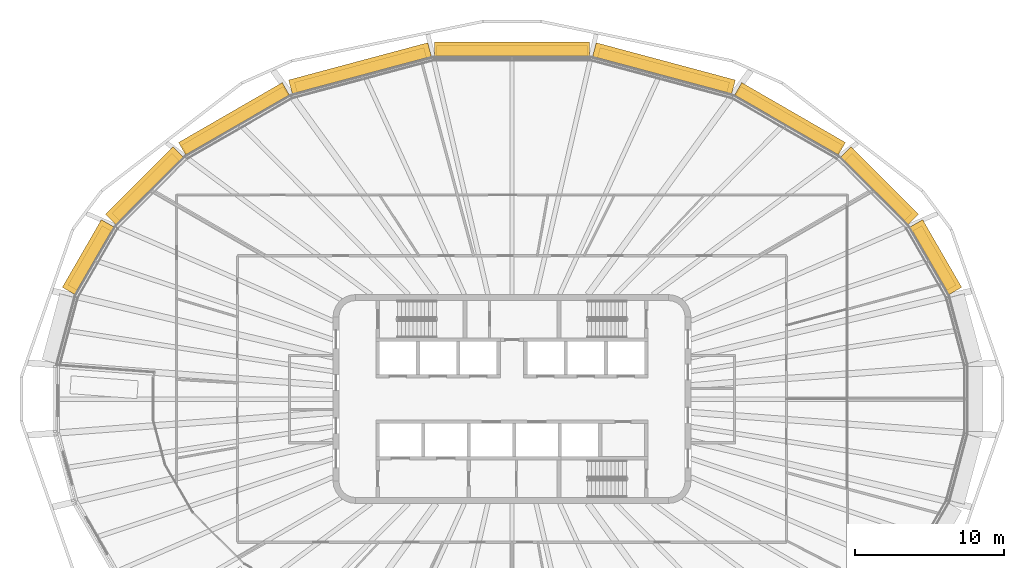
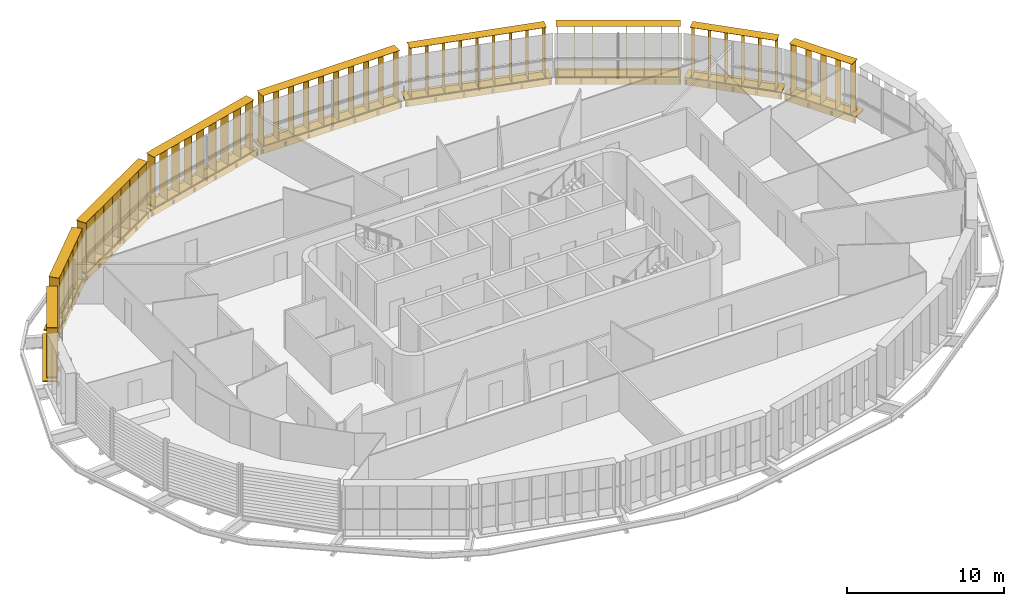
# One storey, part 20 of 20: 18 shading devices.
"""IFC4 building model written with IfcOpenShell, lengths in metres."""

from ifc_helpers import new_model, si_unit, direction, frame, origin, origin_2d, place, context, subcontext, project, spatial, rectangle, extrude, material, type_object, element, save


model = new_model("IFC4")

# Units and contexts
model_context = context("Model", 3, precision=1e-05, world=origin(), true_north=direction((0.0, 1.0)))
body_context = subcontext(model_context, "Body", "Model", "MODEL_VIEW")
ifc_project = project(units=[si_unit("LENGTHUNIT", "METRE"), si_unit("AREAUNIT", "SQUARE_METRE"), si_unit("VOLUMEUNIT", "CUBIC_METRE"), si_unit("PLANEANGLEUNIT", "RADIAN"), si_unit("MASSUNIT", "GRAM", prefix="KILO")], contexts=[model_context])

# Site, building, storey
site_placement = place(None, origin())
site = spatial("IfcSite", under=ifc_project, at=site_placement, CompositionType="ELEMENT")
building_placement = place(site_placement, origin())
building = spatial("IfcBuilding", under=site, at=building_placement, Name="Sahrelin Media Tower", CompositionType="ELEMENT")
storey_placement = place(building_placement, frame((0.0, 0.0, 221.60009765625)))
storey = spatial("IfcBuildingStorey", under=building, at=storey_placement, Name="L47", CompositionType="ELEMENT", Elevation=221.60009765625)

# Shading devices
ifc_material = material(Name="Champagne anodised aluminium 6063-T6", Category="aluminium")
shading_device_type_1 = type_object("IfcShadingDeviceType", Name="Fin cassette", PredefinedType="USERDEFINED", material=ifc_material)
placement_1 = place(storey_placement, frame((27.954833984375, 9.2451171875, 0.0), z_axis=(0.0, 0.0, 1.0), x_axis=(0.500011000363, -0.866019052629, 0.0)))
element("IfcShadingDevice", 1, at=placement_1, inside=storey, type_object=shading_device_type_1, Name="L47:FIN:L47-02", ObjectType="FIN", PredefinedType="USERDEFINED", context=body_context, shape_type="SweptSolid", body=[
    extrude(rectangle(XDim=4.60009765625, YDim=0.699951171875, at=origin_2d()), frame((0.0, 0.419921875, 0.0)), (0.0, 0.0, 1.0), 0.02001953125),
    extrude(rectangle(XDim=4.60009765625, YDim=0.699951171875, at=origin_2d()), frame((0.0, 0.419921875, 3.89990234375)), (0.0, 0.0, 1.0), 0.02001953125),
    extrude(rectangle(XDim=0.02001953125, YDim=0.699951171875, at=origin_2d()), frame((-2.199951171875, 0.419921875, 0.010009765625), z_axis=(0.0, 0.0, 1.0), x_axis=(1.0, 0.0, 0.0)), (0.0, 0.0, 1.0), 3.89990234375),
    extrude(rectangle(XDim=0.02001953125, YDim=0.699951171875, at=origin_2d()), frame((-1.10009765625, 0.419921875, 0.010009765625), z_axis=(0.0, 0.0, 1.0), x_axis=(1.0, 0.0, 0.0)), (0.0, 0.0, 1.0), 3.89990234375),
    extrude(rectangle(XDim=0.02001953125, YDim=0.699951171875, at=origin_2d()), frame((0.0, 0.419921875, 0.010009765625), z_axis=(0.0, 0.0, 1.0), x_axis=(1.0, 0.0, 0.0)), (0.0, 0.0, 1.0), 3.89990234375),
    extrude(rectangle(XDim=0.02001953125, YDim=0.699951171875, at=origin_2d()), frame((1.10009765625, 0.419921875, 0.010009765625), z_axis=(0.0, 0.0, 1.0), x_axis=(1.0, 0.0, 0.0)), (0.0, 0.0, 1.0), 3.89990234375),
    extrude(rectangle(XDim=0.02001953125, YDim=0.699951171875, at=origin_2d()), frame((2.199951171875, 0.419921875, 0.010009765625), z_axis=(0.0, 0.0, 1.0), x_axis=(1.0, 0.0, 0.0)), (0.0, 0.0, 1.0), 3.89990234375),
])
placement_2 = place(storey_placement, frame((24.263916015625, 13.929931640625, 0.0), z_axis=(0.0, 0.0, 1.0), x_axis=(0.707106781187, -0.707106781187, 0.0)))
element("IfcShadingDevice", 2, at=placement_2, inside=storey, type_object=shading_device_type_1, Name="L47:FIN:L47-03", ObjectType="FIN", PredefinedType="USERDEFINED", context=body_context, shape_type="SweptSolid", body=[
    extrude(rectangle(XDim=5.699951171875, YDim=0.699951171875, at=origin_2d()), frame((0.0, 0.419921875, 0.0)), (0.0, 0.0, 1.0), 0.02001953125),
    extrude(rectangle(XDim=5.699951171875, YDim=0.699951171875, at=origin_2d()), frame((0.0, 0.419921875, 3.89990234375)), (0.0, 0.0, 1.0), 0.02001953125),
    extrude(rectangle(XDim=0.02001953125, YDim=0.699951171875, at=origin_2d()), frame((-2.75, 0.419921875, 0.010009765625), z_axis=(0.0, 0.0, 1.0), x_axis=(1.0, 0.0, 0.0)), (0.0, 0.0, 1.0), 3.89990234375),
    extrude(rectangle(XDim=0.02001953125, YDim=0.699951171875, at=origin_2d()), frame((-1.64990234375, 0.419921875, 0.010009765625), z_axis=(0.0, 0.0, 1.0), x_axis=(1.0, 0.0, 0.0)), (0.0, 0.0, 1.0), 3.89990234375),
    extrude(rectangle(XDim=0.02001953125, YDim=0.699951171875, at=origin_2d()), frame((-0.550048828125, 0.419921875, 0.010009765625), z_axis=(0.0, 0.0, 1.0), x_axis=(1.0, 0.0, 0.0)), (0.0, 0.0, 1.0), 3.89990234375),
    extrude(rectangle(XDim=0.02001953125, YDim=0.699951171875, at=origin_2d()), frame((0.550048828125, 0.419921875, 0.010009765625), z_axis=(0.0, 0.0, 1.0), x_axis=(1.0, 0.0, 0.0)), (0.0, 0.0, 1.0), 3.89990234375),
    extrude(rectangle(XDim=0.02001953125, YDim=0.699951171875, at=origin_2d()), frame((1.64990234375, 0.419921875, 0.010009765625), z_axis=(0.0, 0.0, 1.0), x_axis=(1.0, 0.0, 0.0)), (0.0, 0.0, 1.0), 3.89990234375),
    extrude(rectangle(XDim=0.02001953125, YDim=0.699951171875, at=origin_2d()), frame((2.75, 0.419921875, 0.010009765625), z_axis=(0.0, 0.0, 1.0), x_axis=(1.0, 0.0, 0.0)), (0.0, 0.0, 1.0), 3.89990234375),
])
placement_3 = place(storey_placement, frame((18.36962890625, 18.319091796875, 0.0), z_axis=(0.0, 0.0, 1.0), x_axis=(0.866019052629, -0.500011000363, 0.0)))
element("IfcShadingDevice", 3, at=placement_3, inside=storey, type_object=shading_device_type_1, Name="L47:FIN:L47-04", ObjectType="FIN", PredefinedType="USERDEFINED", context=body_context, shape_type="SweptSolid", body=[
    extrude(rectangle(XDim=7.89990234375, YDim=0.699951171875, at=origin_2d()), frame((0.0, 0.419921875, 0.0)), (0.0, 0.0, 1.0), 0.02001953125),
    extrude(rectangle(XDim=7.89990234375, YDim=0.699951171875, at=origin_2d()), frame((0.0, 0.419921875, 3.89990234375)), (0.0, 0.0, 1.0), 0.02001953125),
    extrude(rectangle(XDim=0.02001953125, YDim=0.699951171875, at=origin_2d()), frame((-3.85009765625, 0.419921875, 0.010009765625), z_axis=(0.0, 0.0, 1.0), x_axis=(1.0, 0.0, 0.0)), (0.0, 0.0, 1.0), 3.89990234375),
    extrude(rectangle(XDim=0.02001953125, YDim=0.699951171875, at=origin_2d()), frame((-2.75, 0.419921875, 0.010009765625), z_axis=(0.0, 0.0, 1.0), x_axis=(1.0, 0.0, 0.0)), (0.0, 0.0, 1.0), 3.89990234375),
    extrude(rectangle(XDim=0.02001953125, YDim=0.699951171875, at=origin_2d()), frame((-1.64990234375, 0.419921875, 0.010009765625), z_axis=(0.0, 0.0, 1.0), x_axis=(1.0, 0.0, 0.0)), (0.0, 0.0, 1.0), 3.89990234375),
    extrude(rectangle(XDim=0.02001953125, YDim=0.699951171875, at=origin_2d()), frame((-0.550048828125, 0.419921875, 0.010009765625), z_axis=(0.0, 0.0, 1.0), x_axis=(1.0, 0.0, 0.0)), (0.0, 0.0, 1.0), 3.89990234375),
    extrude(rectangle(XDim=0.02001953125, YDim=0.699951171875, at=origin_2d()), frame((0.550048828125, 0.419921875, 0.010009765625), z_axis=(0.0, 0.0, 1.0), x_axis=(1.0, 0.0, 0.0)), (0.0, 0.0, 1.0), 3.89990234375),
    extrude(rectangle(XDim=0.02001953125, YDim=0.699951171875, at=origin_2d()), frame((1.64990234375, 0.419921875, 0.010009765625), z_axis=(0.0, 0.0, 1.0), x_axis=(1.0, 0.0, 0.0)), (0.0, 0.0, 1.0), 3.89990234375),
    extrude(rectangle(XDim=0.02001953125, YDim=0.699951171875, at=origin_2d()), frame((2.75, 0.419921875, 0.010009765625), z_axis=(0.0, 0.0, 1.0), x_axis=(1.0, 0.0, 0.0)), (0.0, 0.0, 1.0), 3.89990234375),
    extrude(rectangle(XDim=0.02001953125, YDim=0.699951171875, at=origin_2d()), frame((3.85009765625, 0.419921875, 0.010009765625), z_axis=(0.0, 0.0, 1.0), x_axis=(1.0, 0.0, 0.0)), (0.0, 0.0, 1.0), 3.89990234375),
])
placement_4 = place(storey_placement, frame((10.04931640625, 21.650390625, 0.0), z_axis=(0.0, 0.0, 1.0), x_axis=(0.965928857556, -0.258807731996, 0.0)))
element("IfcShadingDevice", 4, at=placement_4, inside=storey, type_object=shading_device_type_1, Name="L47:FIN:L47-05", ObjectType="FIN", PredefinedType="USERDEFINED", context=body_context, shape_type="SweptSolid", body=[
    extrude(rectangle(XDim=9.0, YDim=0.699951171875, at=origin_2d()), frame((0.0, 0.419921875, 0.0)), (0.0, 0.0, 1.0), 0.02001953125),
    extrude(rectangle(XDim=9.0, YDim=0.699951171875, at=origin_2d()), frame((0.0, 0.419921875, 3.89990234375)), (0.0, 0.0, 1.0), 0.02001953125),
    extrude(rectangle(XDim=0.02001953125, YDim=0.699951171875, at=origin_2d()), frame((-4.39990234375, 0.419921875, 0.010009765625), z_axis=(0.0, 0.0, 1.0), x_axis=(1.0, 0.0, 0.0)), (0.0, 0.0, 1.0), 3.89990234375),
    extrude(rectangle(XDim=0.02001953125, YDim=0.699951171875, at=origin_2d()), frame((-3.300048828125, 0.419921875, 0.010009765625), z_axis=(0.0, 0.0, 1.0), x_axis=(1.0, 0.0, 0.0)), (0.0, 0.0, 1.0), 3.89990234375),
    extrude(rectangle(XDim=0.02001953125, YDim=0.699951171875, at=origin_2d()), frame((-2.199951171875, 0.419921875, 0.010009765625), z_axis=(0.0, 0.0, 1.0), x_axis=(1.0, 0.0, 0.0)), (0.0, 0.0, 1.0), 3.89990234375),
    extrude(rectangle(XDim=0.02001953125, YDim=0.699951171875, at=origin_2d()), frame((-1.10009765625, 0.419921875, 0.010009765625), z_axis=(0.0, 0.0, 1.0), x_axis=(1.0, 0.0, 0.0)), (0.0, 0.0, 1.0), 3.89990234375),
    extrude(rectangle(XDim=0.02001953125, YDim=0.699951171875, at=origin_2d()), frame((0.0, 0.419921875, 0.010009765625), z_axis=(0.0, 0.0, 1.0), x_axis=(1.0, 0.0, 0.0)), (0.0, 0.0, 1.0), 3.89990234375),
    extrude(rectangle(XDim=0.02001953125, YDim=0.699951171875, at=origin_2d()), frame((1.10009765625, 0.419921875, 0.010009765625), z_axis=(0.0, 0.0, 1.0), x_axis=(1.0, 0.0, 0.0)), (0.0, 0.0, 1.0), 3.89990234375),
    extrude(rectangle(XDim=0.02001953125, YDim=0.699951171875, at=origin_2d()), frame((2.199951171875, 0.419921875, 0.010009765625), z_axis=(0.0, 0.0, 1.0), x_axis=(1.0, 0.0, 0.0)), (0.0, 0.0, 1.0), 3.89990234375),
    extrude(rectangle(XDim=0.02001953125, YDim=0.699951171875, at=origin_2d()), frame((3.300048828125, 0.419921875, 0.010009765625), z_axis=(0.0, 0.0, 1.0), x_axis=(1.0, 0.0, 0.0)), (0.0, 0.0, 1.0), 3.89990234375),
    extrude(rectangle(XDim=0.02001953125, YDim=0.699951171875, at=origin_2d()), frame((4.39990234375, 0.419921875, 0.010009765625), z_axis=(0.0, 0.0, 1.0), x_axis=(1.0, 0.0, 0.0)), (0.0, 0.0, 1.0), 3.89990234375),
])
placement_5 = place(storey_placement, frame((0.0, 22.925537109375, 0.0), z_axis=(0.0, 0.0, 1.0), x_axis=(1.0, 0.0, 0.0)))
element("IfcShadingDevice", 5, at=placement_5, inside=storey, type_object=shading_device_type_1, Name="L47:FIN:L47-06", ObjectType="FIN", PredefinedType="USERDEFINED", context=body_context, shape_type="SweptSolid", body=[
    extrude(rectangle(XDim=10.10009765625, YDim=0.699951171875, at=origin_2d()), frame((0.0, 0.419921875, 0.0)), (0.0, 0.0, 1.0), 0.02001953125),
    extrude(rectangle(XDim=10.10009765625, YDim=0.699951171875, at=origin_2d()), frame((0.0, 0.419921875, 3.89990234375)), (0.0, 0.0, 1.0), 0.02001953125),
    extrude(rectangle(XDim=0.02001953125, YDim=0.699951171875, at=origin_2d()), frame((-4.949951171875, 0.419921875, 0.010009765625), z_axis=(0.0, 0.0, 1.0), x_axis=(1.0, 0.0, 0.0)), (0.0, 0.0, 1.0), 3.89990234375),
    extrude(rectangle(XDim=0.02001953125, YDim=0.699951171875, at=origin_2d()), frame((-3.85009765625, 0.419921875, 0.010009765625), z_axis=(0.0, 0.0, 1.0), x_axis=(1.0, 0.0, 0.0)), (0.0, 0.0, 1.0), 3.89990234375),
    extrude(rectangle(XDim=0.02001953125, YDim=0.699951171875, at=origin_2d()), frame((-2.75, 0.419921875, 0.010009765625), z_axis=(0.0, 0.0, 1.0), x_axis=(1.0, 0.0, 0.0)), (0.0, 0.0, 1.0), 3.89990234375),
    extrude(rectangle(XDim=0.02001953125, YDim=0.699951171875, at=origin_2d()), frame((-1.64990234375, 0.419921875, 0.010009765625), z_axis=(0.0, 0.0, 1.0), x_axis=(1.0, 0.0, 0.0)), (0.0, 0.0, 1.0), 3.89990234375),
    extrude(rectangle(XDim=0.02001953125, YDim=0.699951171875, at=origin_2d()), frame((-0.550048828125, 0.419921875, 0.010009765625), z_axis=(0.0, 0.0, 1.0), x_axis=(1.0, 0.0, 0.0)), (0.0, 0.0, 1.0), 3.89990234375),
    extrude(rectangle(XDim=0.02001953125, YDim=0.699951171875, at=origin_2d()), frame((0.550048828125, 0.419921875, 0.010009765625), z_axis=(0.0, 0.0, 1.0), x_axis=(1.0, 0.0, 0.0)), (0.0, 0.0, 1.0), 3.89990234375),
    extrude(rectangle(XDim=0.02001953125, YDim=0.699951171875, at=origin_2d()), frame((1.64990234375, 0.419921875, 0.010009765625), z_axis=(0.0, 0.0, 1.0), x_axis=(1.0, 0.0, 0.0)), (0.0, 0.0, 1.0), 3.89990234375),
    extrude(rectangle(XDim=0.02001953125, YDim=0.699951171875, at=origin_2d()), frame((2.75, 0.419921875, 0.010009765625), z_axis=(0.0, 0.0, 1.0), x_axis=(1.0, 0.0, 0.0)), (0.0, 0.0, 1.0), 3.89990234375),
    extrude(rectangle(XDim=0.02001953125, YDim=0.699951171875, at=origin_2d()), frame((3.85009765625, 0.419921875, 0.010009765625), z_axis=(0.0, 0.0, 1.0), x_axis=(1.0, 0.0, 0.0)), (0.0, 0.0, 1.0), 3.89990234375),
    extrude(rectangle(XDim=0.02001953125, YDim=0.699951171875, at=origin_2d()), frame((4.949951171875, 0.419921875, 0.010009765625), z_axis=(0.0, 0.0, 1.0), x_axis=(1.0, 0.0, 0.0)), (0.0, 0.0, 1.0), 3.89990234375),
])
placement_6 = place(storey_placement, frame((-10.04931640625, 21.650390625, 0.0), z_axis=(0.0, 0.0, 1.0), x_axis=(0.965928857556, 0.258807731996, 0.0)))
element("IfcShadingDevice", 6, at=placement_6, inside=storey, type_object=shading_device_type_1, Name="L47:FIN:L47-07", ObjectType="FIN", PredefinedType="USERDEFINED", context=body_context, shape_type="SweptSolid", body=[
    extrude(rectangle(XDim=9.0, YDim=0.699951171875, at=origin_2d()), frame((0.0, 0.419921875, 0.0)), (0.0, 0.0, 1.0), 0.02001953125),
    extrude(rectangle(XDim=9.0, YDim=0.699951171875, at=origin_2d()), frame((0.0, 0.419921875, 3.89990234375)), (0.0, 0.0, 1.0), 0.02001953125),
    extrude(rectangle(XDim=0.02001953125, YDim=0.699951171875, at=origin_2d()), frame((-4.39990234375, 0.419921875, 0.010009765625), z_axis=(0.0, 0.0, 1.0), x_axis=(1.0, 0.0, 0.0)), (0.0, 0.0, 1.0), 3.89990234375),
    extrude(rectangle(XDim=0.02001953125, YDim=0.699951171875, at=origin_2d()), frame((-3.300048828125, 0.419921875, 0.010009765625), z_axis=(0.0, 0.0, 1.0), x_axis=(1.0, 0.0, 0.0)), (0.0, 0.0, 1.0), 3.89990234375),
    extrude(rectangle(XDim=0.02001953125, YDim=0.699951171875, at=origin_2d()), frame((-2.199951171875, 0.419921875, 0.010009765625), z_axis=(0.0, 0.0, 1.0), x_axis=(1.0, 0.0, 0.0)), (0.0, 0.0, 1.0), 3.89990234375),
    extrude(rectangle(XDim=0.02001953125, YDim=0.699951171875, at=origin_2d()), frame((-1.10009765625, 0.419921875, 0.010009765625), z_axis=(0.0, 0.0, 1.0), x_axis=(1.0, 0.0, 0.0)), (0.0, 0.0, 1.0), 3.89990234375),
    extrude(rectangle(XDim=0.02001953125, YDim=0.699951171875, at=origin_2d()), frame((0.0, 0.419921875, 0.010009765625), z_axis=(0.0, 0.0, 1.0), x_axis=(1.0, 0.0, 0.0)), (0.0, 0.0, 1.0), 3.89990234375),
    extrude(rectangle(XDim=0.02001953125, YDim=0.699951171875, at=origin_2d()), frame((1.10009765625, 0.419921875, 0.010009765625), z_axis=(0.0, 0.0, 1.0), x_axis=(1.0, 0.0, 0.0)), (0.0, 0.0, 1.0), 3.89990234375),
    extrude(rectangle(XDim=0.02001953125, YDim=0.699951171875, at=origin_2d()), frame((2.199951171875, 0.419921875, 0.010009765625), z_axis=(0.0, 0.0, 1.0), x_axis=(1.0, 0.0, 0.0)), (0.0, 0.0, 1.0), 3.89990234375),
    extrude(rectangle(XDim=0.02001953125, YDim=0.699951171875, at=origin_2d()), frame((3.300048828125, 0.419921875, 0.010009765625), z_axis=(0.0, 0.0, 1.0), x_axis=(1.0, 0.0, 0.0)), (0.0, 0.0, 1.0), 3.89990234375),
    extrude(rectangle(XDim=0.02001953125, YDim=0.699951171875, at=origin_2d()), frame((4.39990234375, 0.419921875, 0.010009765625), z_axis=(0.0, 0.0, 1.0), x_axis=(1.0, 0.0, 0.0)), (0.0, 0.0, 1.0), 3.89990234375),
])
placement_7 = place(storey_placement, frame((-18.369873046875, 18.319091796875, 0.0), z_axis=(0.0, 0.0, 1.0), x_axis=(0.866019052629, 0.500011000363, 0.0)))
element("IfcShadingDevice", 7, at=placement_7, inside=storey, type_object=shading_device_type_1, Name="L47:FIN:L47-08", ObjectType="FIN", PredefinedType="USERDEFINED", context=body_context, shape_type="SweptSolid", body=[
    extrude(rectangle(XDim=7.89990234375, YDim=0.699951171875, at=origin_2d()), frame((0.0, 0.419921875, 0.0)), (0.0, 0.0, 1.0), 0.02001953125),
    extrude(rectangle(XDim=7.89990234375, YDim=0.699951171875, at=origin_2d()), frame((0.0, 0.419921875, 3.89990234375)), (0.0, 0.0, 1.0), 0.02001953125),
    extrude(rectangle(XDim=0.02001953125, YDim=0.699951171875, at=origin_2d()), frame((-3.85009765625, 0.419921875, 0.010009765625), z_axis=(0.0, 0.0, 1.0), x_axis=(1.0, 0.0, 0.0)), (0.0, 0.0, 1.0), 3.89990234375),
    extrude(rectangle(XDim=0.02001953125, YDim=0.699951171875, at=origin_2d()), frame((-2.75, 0.419921875, 0.010009765625), z_axis=(0.0, 0.0, 1.0), x_axis=(1.0, 0.0, 0.0)), (0.0, 0.0, 1.0), 3.89990234375),
    extrude(rectangle(XDim=0.02001953125, YDim=0.699951171875, at=origin_2d()), frame((-1.64990234375, 0.419921875, 0.010009765625), z_axis=(0.0, 0.0, 1.0), x_axis=(1.0, 0.0, 0.0)), (0.0, 0.0, 1.0), 3.89990234375),
    extrude(rectangle(XDim=0.02001953125, YDim=0.699951171875, at=origin_2d()), frame((-0.550048828125, 0.419921875, 0.010009765625), z_axis=(0.0, 0.0, 1.0), x_axis=(1.0, 0.0, 0.0)), (0.0, 0.0, 1.0), 3.89990234375),
    extrude(rectangle(XDim=0.02001953125, YDim=0.699951171875, at=origin_2d()), frame((0.550048828125, 0.419921875, 0.010009765625), z_axis=(0.0, 0.0, 1.0), x_axis=(1.0, 0.0, 0.0)), (0.0, 0.0, 1.0), 3.89990234375),
    extrude(rectangle(XDim=0.02001953125, YDim=0.699951171875, at=origin_2d()), frame((1.64990234375, 0.419921875, 0.010009765625), z_axis=(0.0, 0.0, 1.0), x_axis=(1.0, 0.0, 0.0)), (0.0, 0.0, 1.0), 3.89990234375),
    extrude(rectangle(XDim=0.02001953125, YDim=0.699951171875, at=origin_2d()), frame((2.75, 0.419921875, 0.010009765625), z_axis=(0.0, 0.0, 1.0), x_axis=(1.0, 0.0, 0.0)), (0.0, 0.0, 1.0), 3.89990234375),
    extrude(rectangle(XDim=0.02001953125, YDim=0.699951171875, at=origin_2d()), frame((3.85009765625, 0.419921875, 0.010009765625), z_axis=(0.0, 0.0, 1.0), x_axis=(1.0, 0.0, 0.0)), (0.0, 0.0, 1.0), 3.89990234375),
])
placement_8 = place(storey_placement, frame((-24.263916015625, 13.929931640625, 0.0), z_axis=(0.0, 0.0, 1.0), x_axis=(0.707106781187, 0.707106781187, 0.0)))
element("IfcShadingDevice", 8, at=placement_8, inside=storey, type_object=shading_device_type_1, Name="L47:FIN:L47-09", ObjectType="FIN", PredefinedType="USERDEFINED", context=body_context, shape_type="SweptSolid", body=[
    extrude(rectangle(XDim=5.699951171875, YDim=0.699951171875, at=origin_2d()), frame((0.0, 0.419921875, 0.0)), (0.0, 0.0, 1.0), 0.02001953125),
    extrude(rectangle(XDim=5.699951171875, YDim=0.699951171875, at=origin_2d()), frame((0.0, 0.419921875, 3.89990234375)), (0.0, 0.0, 1.0), 0.02001953125),
    extrude(rectangle(XDim=0.02001953125, YDim=0.699951171875, at=origin_2d()), frame((-2.75, 0.419921875, 0.010009765625), z_axis=(0.0, 0.0, 1.0), x_axis=(1.0, 0.0, 0.0)), (0.0, 0.0, 1.0), 3.89990234375),
    extrude(rectangle(XDim=0.02001953125, YDim=0.699951171875, at=origin_2d()), frame((-1.64990234375, 0.419921875, 0.010009765625), z_axis=(0.0, 0.0, 1.0), x_axis=(1.0, 0.0, 0.0)), (0.0, 0.0, 1.0), 3.89990234375),
    extrude(rectangle(XDim=0.02001953125, YDim=0.699951171875, at=origin_2d()), frame((-0.550048828125, 0.419921875, 0.010009765625), z_axis=(0.0, 0.0, 1.0), x_axis=(1.0, 0.0, 0.0)), (0.0, 0.0, 1.0), 3.89990234375),
    extrude(rectangle(XDim=0.02001953125, YDim=0.699951171875, at=origin_2d()), frame((0.550048828125, 0.419921875, 0.010009765625), z_axis=(0.0, 0.0, 1.0), x_axis=(1.0, 0.0, 0.0)), (0.0, 0.0, 1.0), 3.89990234375),
    extrude(rectangle(XDim=0.02001953125, YDim=0.699951171875, at=origin_2d()), frame((1.64990234375, 0.419921875, 0.010009765625), z_axis=(0.0, 0.0, 1.0), x_axis=(1.0, 0.0, 0.0)), (0.0, 0.0, 1.0), 3.89990234375),
    extrude(rectangle(XDim=0.02001953125, YDim=0.699951171875, at=origin_2d()), frame((2.75, 0.419921875, 0.010009765625), z_axis=(0.0, 0.0, 1.0), x_axis=(1.0, 0.0, 0.0)), (0.0, 0.0, 1.0), 3.89990234375),
])
placement_9 = place(storey_placement, frame((-27.954833984375, 9.2451171875, 0.0), z_axis=(0.0, 0.0, 1.0), x_axis=(0.500011000363, 0.866019052629, 0.0)))
element("IfcShadingDevice", 9, at=placement_9, inside=storey, type_object=shading_device_type_1, Name="L47:FIN:L47-10", ObjectType="FIN", PredefinedType="USERDEFINED", context=body_context, shape_type="SweptSolid", body=[
    extrude(rectangle(XDim=4.60009765625, YDim=0.699951171875, at=origin_2d()), frame((0.0, 0.419921875, 0.0)), (0.0, 0.0, 1.0), 0.02001953125),
    extrude(rectangle(XDim=4.60009765625, YDim=0.699951171875, at=origin_2d()), frame((0.0, 0.419921875, 3.89990234375)), (0.0, 0.0, 1.0), 0.02001953125),
    extrude(rectangle(XDim=0.02001953125, YDim=0.699951171875, at=origin_2d()), frame((-2.199951171875, 0.419921875, 0.010009765625), z_axis=(0.0, 0.0, 1.0), x_axis=(1.0, 0.0, 0.0)), (0.0, 0.0, 1.0), 3.89990234375),
    extrude(rectangle(XDim=0.02001953125, YDim=0.699951171875, at=origin_2d()), frame((-1.10009765625, 0.419921875, 0.010009765625), z_axis=(0.0, 0.0, 1.0), x_axis=(1.0, 0.0, 0.0)), (0.0, 0.0, 1.0), 3.89990234375),
    extrude(rectangle(XDim=0.02001953125, YDim=0.699951171875, at=origin_2d()), frame((0.0, 0.419921875, 0.010009765625), z_axis=(0.0, 0.0, 1.0), x_axis=(1.0, 0.0, 0.0)), (0.0, 0.0, 1.0), 3.89990234375),
    extrude(rectangle(XDim=0.02001953125, YDim=0.699951171875, at=origin_2d()), frame((1.10009765625, 0.419921875, 0.010009765625), z_axis=(0.0, 0.0, 1.0), x_axis=(1.0, 0.0, 0.0)), (0.0, 0.0, 1.0), 3.89990234375),
    extrude(rectangle(XDim=0.02001953125, YDim=0.699951171875, at=origin_2d()), frame((2.199951171875, 0.419921875, 0.010009765625), z_axis=(0.0, 0.0, 1.0), x_axis=(1.0, 0.0, 0.0)), (0.0, 0.0, 1.0), 3.89990234375),
])
shading_device_type_2 = type_object("IfcShadingDeviceType", Name="Sunshade band", PredefinedType="USERDEFINED", material=ifc_material)
element("IfcShadingDevice", 10, at=placement_1, inside=storey, type_object=shading_device_type_2, Name="L47:SUN:L47-02", ObjectType="SUNSHADE", PredefinedType="USERDEFINED", context=body_context, shape_type="SweptSolid", body=[
    extrude(rectangle(XDim=5.231689453125, YDim=0.050048828125, at=origin_2d()), frame((0.0, 0.044921875, -0.55126953125)), (0.0, 0.0, 1.0), 0.471435546875),
    extrude(rectangle(XDim=5.231689453125, YDim=1.0, at=origin_2d()), frame((0.0, 0.52001953125, -0.080078125)), (0.0, 0.0, 1.0), 0.080078125),
    extrude(rectangle(XDim=0.10009765625, YDim=0.074951171875, at=origin_2d()), frame((-2.515869140625, -0.017578125, -0.47021484375)), (0.0, 0.0, 1.0), 0.300048828125),
    extrude(rectangle(XDim=0.10009765625, YDim=0.074951171875, at=origin_2d()), frame((-0.838623046875, -0.017578125, -0.47021484375)), (0.0, 0.0, 1.0), 0.300048828125),
    extrude(rectangle(XDim=0.10009765625, YDim=0.074951171875, at=origin_2d()), frame((0.838623046875, -0.017578125, -0.47021484375)), (0.0, 0.0, 1.0), 0.300048828125),
    extrude(rectangle(XDim=0.10009765625, YDim=0.074951171875, at=origin_2d()), frame((2.515869140625, -0.017578125, -0.47021484375)), (0.0, 0.0, 1.0), 0.300048828125),
])
element("IfcShadingDevice", 11, at=placement_2, inside=storey, type_object=shading_device_type_2, Name="L47:SUN:L47-03", ObjectType="SUNSHADE", PredefinedType="USERDEFINED", context=body_context, shape_type="SweptSolid", body=[
    extrude(rectangle(XDim=6.398681640625, YDim=0.050048828125, at=origin_2d()), frame((0.0, 0.044921875, -0.55126953125)), (0.0, 0.0, 1.0), 0.471435546875),
    extrude(rectangle(XDim=6.398681640625, YDim=1.0, at=origin_2d()), frame((0.0, 0.52001953125, -0.080078125)), (0.0, 0.0, 1.0), 0.080078125),
    extrude(rectangle(XDim=0.10009765625, YDim=0.074951171875, at=origin_2d()), frame((-3.099365234375, -0.017578125, -0.47021484375)), (0.0, 0.0, 1.0), 0.300048828125),
    extrude(rectangle(XDim=0.10009765625, YDim=0.074951171875, at=origin_2d()), frame((-1.5498046875, -0.017578125, -0.47021484375)), (0.0, 0.0, 1.0), 0.300048828125),
    extrude(rectangle(XDim=0.10009765625, YDim=0.074951171875, at=origin_2d()), frame((0.0, -0.017578125, -0.47021484375)), (0.0, 0.0, 1.0), 0.300048828125),
    extrude(rectangle(XDim=0.10009765625, YDim=0.074951171875, at=origin_2d()), frame((1.5498046875, -0.017578125, -0.47021484375)), (0.0, 0.0, 1.0), 0.300048828125),
    extrude(rectangle(XDim=0.10009765625, YDim=0.074951171875, at=origin_2d()), frame((3.099365234375, -0.017578125, -0.47021484375)), (0.0, 0.0, 1.0), 0.300048828125),
])
element("IfcShadingDevice", 12, at=placement_3, inside=storey, type_object=shading_device_type_2, Name="L47:SUN:L47-04", ObjectType="SUNSHADE", PredefinedType="USERDEFINED", context=body_context, shape_type="SweptSolid", body=[
    extrude(rectangle(XDim=8.02392578125, YDim=0.050048828125, at=origin_2d()), frame((0.0, 0.044921875, -0.55126953125)), (0.0, 0.0, 1.0), 0.471435546875),
    extrude(rectangle(XDim=8.02392578125, YDim=1.0, at=origin_2d()), frame((0.0, 0.52001953125, -0.080078125)), (0.0, 0.0, 1.0), 0.080078125),
    extrude(rectangle(XDim=0.10009765625, YDim=0.074951171875, at=origin_2d()), frame((-3.912109375, -0.017578125, -0.47021484375)), (0.0, 0.0, 1.0), 0.300048828125),
    extrude(rectangle(XDim=0.10009765625, YDim=0.074951171875, at=origin_2d()), frame((-2.34716796875, -0.017578125, -0.47021484375)), (0.0, 0.0, 1.0), 0.300048828125),
    extrude(rectangle(XDim=0.10009765625, YDim=0.074951171875, at=origin_2d()), frame((-0.782470703125, -0.017578125, -0.47021484375)), (0.0, 0.0, 1.0), 0.300048828125),
    extrude(rectangle(XDim=0.10009765625, YDim=0.074951171875, at=origin_2d()), frame((0.782470703125, -0.017578125, -0.47021484375)), (0.0, 0.0, 1.0), 0.300048828125),
    extrude(rectangle(XDim=0.10009765625, YDim=0.074951171875, at=origin_2d()), frame((2.34716796875, -0.017578125, -0.47021484375)), (0.0, 0.0, 1.0), 0.300048828125),
    extrude(rectangle(XDim=0.10009765625, YDim=0.074951171875, at=origin_2d()), frame((3.912109375, -0.017578125, -0.47021484375)), (0.0, 0.0, 1.0), 0.300048828125),
])
element("IfcShadingDevice", 13, at=placement_4, inside=storey, type_object=shading_device_type_2, Name="L47:SUN:L47-05", ObjectType="SUNSHADE", PredefinedType="USERDEFINED", context=body_context, shape_type="SweptSolid", body=[
    extrude(rectangle(XDim=9.654541015625, YDim=0.050048828125, at=origin_2d()), frame((0.0, 0.044921875, -0.55126953125)), (0.0, 0.0, 1.0), 0.471435546875),
    extrude(rectangle(XDim=9.654541015625, YDim=1.0, at=origin_2d()), frame((0.0, 0.52001953125, -0.080078125)), (0.0, 0.0, 1.0), 0.080078125),
    extrude(rectangle(XDim=0.10009765625, YDim=0.074951171875, at=origin_2d()), frame((-4.727294921875, -0.017578125, -0.47021484375)), (0.0, 0.0, 1.0), 0.300048828125),
    extrude(rectangle(XDim=0.10009765625, YDim=0.074951171875, at=origin_2d()), frame((-2.83642578125, -0.017578125, -0.47021484375)), (0.0, 0.0, 1.0), 0.300048828125),
    extrude(rectangle(XDim=0.10009765625, YDim=0.074951171875, at=origin_2d()), frame((-0.945556640625, -0.017578125, -0.47021484375)), (0.0, 0.0, 1.0), 0.300048828125),
    extrude(rectangle(XDim=0.10009765625, YDim=0.074951171875, at=origin_2d()), frame((0.945556640625, -0.017578125, -0.47021484375)), (0.0, 0.0, 1.0), 0.300048828125),
    extrude(rectangle(XDim=0.10009765625, YDim=0.074951171875, at=origin_2d()), frame((2.83642578125, -0.017578125, -0.47021484375)), (0.0, 0.0, 1.0), 0.300048828125),
    extrude(rectangle(XDim=0.10009765625, YDim=0.074951171875, at=origin_2d()), frame((4.727294921875, -0.017578125, -0.47021484375)), (0.0, 0.0, 1.0), 0.300048828125),
])
element("IfcShadingDevice", 14, at=placement_5, inside=storey, type_object=shading_device_type_2, Name="L47:SUN:L47-06", ObjectType="SUNSHADE", PredefinedType="USERDEFINED", context=body_context, shape_type="SweptSolid", body=[
    extrude(rectangle(XDim=10.3798828125, YDim=0.050048828125, at=origin_2d()), frame((0.0, 0.044921875, -0.55126953125)), (0.0, 0.0, 1.0), 0.471435546875),
    extrude(rectangle(XDim=10.3798828125, YDim=1.0, at=origin_2d()), frame((0.0, 0.52001953125, -0.080078125)), (0.0, 0.0, 1.0), 0.080078125),
    extrude(rectangle(XDim=0.10009765625, YDim=0.074951171875, at=origin_2d()), frame((-5.08984375, -0.017578125, -0.47021484375)), (0.0, 0.0, 1.0), 0.300048828125),
    extrude(rectangle(XDim=0.10009765625, YDim=0.074951171875, at=origin_2d()), frame((-3.393310546875, -0.017578125, -0.47021484375)), (0.0, 0.0, 1.0), 0.300048828125),
    extrude(rectangle(XDim=0.10009765625, YDim=0.074951171875, at=origin_2d()), frame((-1.696533203125, -0.017578125, -0.47021484375)), (0.0, 0.0, 1.0), 0.300048828125),
    extrude(rectangle(XDim=0.10009765625, YDim=0.074951171875, at=origin_2d()), frame((0.0, -0.017578125, -0.47021484375)), (0.0, 0.0, 1.0), 0.300048828125),
    extrude(rectangle(XDim=0.10009765625, YDim=0.074951171875, at=origin_2d()), frame((1.696533203125, -0.017578125, -0.47021484375)), (0.0, 0.0, 1.0), 0.300048828125),
    extrude(rectangle(XDim=0.10009765625, YDim=0.074951171875, at=origin_2d()), frame((3.393310546875, -0.017578125, -0.47021484375)), (0.0, 0.0, 1.0), 0.300048828125),
    extrude(rectangle(XDim=0.10009765625, YDim=0.074951171875, at=origin_2d()), frame((5.08984375, -0.017578125, -0.47021484375)), (0.0, 0.0, 1.0), 0.300048828125),
])
element("IfcShadingDevice", 15, at=placement_6, inside=storey, type_object=shading_device_type_2, Name="L47:SUN:L47-07", ObjectType="SUNSHADE", PredefinedType="USERDEFINED", context=body_context, shape_type="SweptSolid", body=[
    extrude(rectangle(XDim=9.654541015625, YDim=0.050048828125, at=origin_2d()), frame((0.0, 0.044921875, -0.55126953125)), (0.0, 0.0, 1.0), 0.471435546875),
    extrude(rectangle(XDim=9.654541015625, YDim=1.0, at=origin_2d()), frame((0.0, 0.52001953125, -0.080078125)), (0.0, 0.0, 1.0), 0.080078125),
    extrude(rectangle(XDim=0.10009765625, YDim=0.074951171875, at=origin_2d()), frame((-4.727294921875, -0.017578125, -0.47021484375)), (0.0, 0.0, 1.0), 0.300048828125),
    extrude(rectangle(XDim=0.10009765625, YDim=0.074951171875, at=origin_2d()), frame((-2.83642578125, -0.017578125, -0.47021484375)), (0.0, 0.0, 1.0), 0.300048828125),
    extrude(rectangle(XDim=0.10009765625, YDim=0.074951171875, at=origin_2d()), frame((-0.945556640625, -0.017578125, -0.47021484375)), (0.0, 0.0, 1.0), 0.300048828125),
    extrude(rectangle(XDim=0.10009765625, YDim=0.074951171875, at=origin_2d()), frame((0.945556640625, -0.017578125, -0.47021484375)), (0.0, 0.0, 1.0), 0.300048828125),
    extrude(rectangle(XDim=0.10009765625, YDim=0.074951171875, at=origin_2d()), frame((2.83642578125, -0.017578125, -0.47021484375)), (0.0, 0.0, 1.0), 0.300048828125),
    extrude(rectangle(XDim=0.10009765625, YDim=0.074951171875, at=origin_2d()), frame((4.727294921875, -0.017578125, -0.47021484375)), (0.0, 0.0, 1.0), 0.300048828125),
])
element("IfcShadingDevice", 16, at=placement_7, inside=storey, type_object=shading_device_type_2, Name="L47:SUN:L47-08", ObjectType="SUNSHADE", PredefinedType="USERDEFINED", context=body_context, shape_type="SweptSolid", body=[
    extrude(rectangle(XDim=8.02392578125, YDim=0.050048828125, at=origin_2d()), frame((0.0, 0.044921875, -0.55126953125)), (0.0, 0.0, 1.0), 0.471435546875),
    extrude(rectangle(XDim=8.02392578125, YDim=1.0, at=origin_2d()), frame((0.0, 0.52001953125, -0.080078125)), (0.0, 0.0, 1.0), 0.080078125),
    extrude(rectangle(XDim=0.10009765625, YDim=0.074951171875, at=origin_2d()), frame((-3.912109375, -0.017578125, -0.47021484375)), (0.0, 0.0, 1.0), 0.300048828125),
    extrude(rectangle(XDim=0.10009765625, YDim=0.074951171875, at=origin_2d()), frame((-2.34716796875, -0.017578125, -0.47021484375)), (0.0, 0.0, 1.0), 0.300048828125),
    extrude(rectangle(XDim=0.10009765625, YDim=0.074951171875, at=origin_2d()), frame((-0.782470703125, -0.017578125, -0.47021484375)), (0.0, 0.0, 1.0), 0.300048828125),
    extrude(rectangle(XDim=0.10009765625, YDim=0.074951171875, at=origin_2d()), frame((0.782470703125, -0.017578125, -0.47021484375)), (0.0, 0.0, 1.0), 0.300048828125),
    extrude(rectangle(XDim=0.10009765625, YDim=0.074951171875, at=origin_2d()), frame((2.34716796875, -0.017578125, -0.47021484375)), (0.0, 0.0, 1.0), 0.300048828125),
    extrude(rectangle(XDim=0.10009765625, YDim=0.074951171875, at=origin_2d()), frame((3.912109375, -0.017578125, -0.47021484375)), (0.0, 0.0, 1.0), 0.300048828125),
])
element("IfcShadingDevice", 17, at=placement_8, inside=storey, type_object=shading_device_type_2, Name="L47:SUN:L47-09", ObjectType="SUNSHADE", PredefinedType="USERDEFINED", context=body_context, shape_type="SweptSolid", body=[
    extrude(rectangle(XDim=6.398681640625, YDim=0.050048828125, at=origin_2d()), frame((0.0, 0.044921875, -0.55126953125)), (0.0, 0.0, 1.0), 0.471435546875),
    extrude(rectangle(XDim=6.398681640625, YDim=1.0, at=origin_2d()), frame((0.0, 0.52001953125, -0.080078125)), (0.0, 0.0, 1.0), 0.080078125),
    extrude(rectangle(XDim=0.10009765625, YDim=0.074951171875, at=origin_2d()), frame((-3.099365234375, -0.017578125, -0.47021484375)), (0.0, 0.0, 1.0), 0.300048828125),
    extrude(rectangle(XDim=0.10009765625, YDim=0.074951171875, at=origin_2d()), frame((-1.5498046875, -0.017578125, -0.47021484375)), (0.0, 0.0, 1.0), 0.300048828125),
    extrude(rectangle(XDim=0.10009765625, YDim=0.074951171875, at=origin_2d()), frame((0.0, -0.017578125, -0.47021484375)), (0.0, 0.0, 1.0), 0.300048828125),
    extrude(rectangle(XDim=0.10009765625, YDim=0.074951171875, at=origin_2d()), frame((1.5498046875, -0.017578125, -0.47021484375)), (0.0, 0.0, 1.0), 0.300048828125),
    extrude(rectangle(XDim=0.10009765625, YDim=0.074951171875, at=origin_2d()), frame((3.099365234375, -0.017578125, -0.47021484375)), (0.0, 0.0, 1.0), 0.300048828125),
])
element("IfcShadingDevice", 18, at=placement_9, inside=storey, type_object=shading_device_type_2, Name="L47:SUN:L47-10", ObjectType="SUNSHADE", PredefinedType="USERDEFINED", context=body_context, shape_type="SweptSolid", body=[
    extrude(rectangle(XDim=5.231689453125, YDim=0.050048828125, at=origin_2d()), frame((0.0, 0.044921875, -0.55126953125)), (0.0, 0.0, 1.0), 0.471435546875),
    extrude(rectangle(XDim=5.231689453125, YDim=1.0, at=origin_2d()), frame((0.0, 0.52001953125, -0.080078125)), (0.0, 0.0, 1.0), 0.080078125),
    extrude(rectangle(XDim=0.10009765625, YDim=0.074951171875, at=origin_2d()), frame((-2.515869140625, -0.017578125, -0.47021484375)), (0.0, 0.0, 1.0), 0.300048828125),
    extrude(rectangle(XDim=0.10009765625, YDim=0.074951171875, at=origin_2d()), frame((-0.838623046875, -0.017578125, -0.47021484375)), (0.0, 0.0, 1.0), 0.300048828125),
    extrude(rectangle(XDim=0.10009765625, YDim=0.074951171875, at=origin_2d()), frame((0.838623046875, -0.017578125, -0.47021484375)), (0.0, 0.0, 1.0), 0.300048828125),
    extrude(rectangle(XDim=0.10009765625, YDim=0.074951171875, at=origin_2d()), frame((2.515869140625, -0.017578125, -0.47021484375)), (0.0, 0.0, 1.0), 0.300048828125),
])

save(model, "model.ifc")
